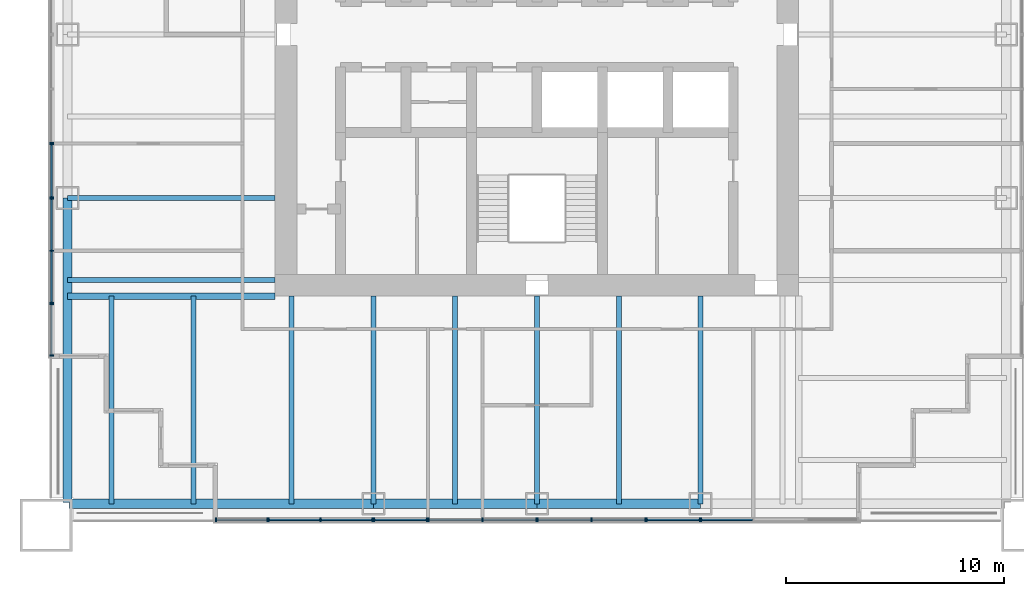
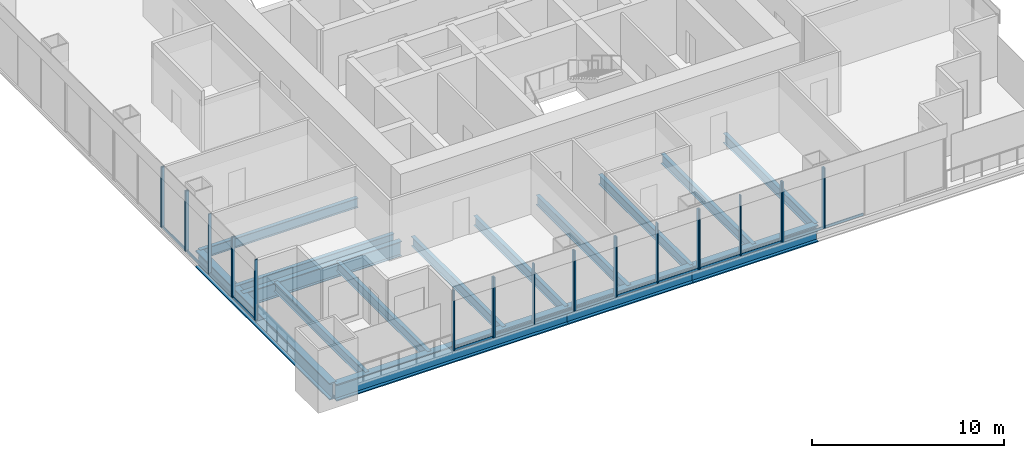
# One storey, part 2 of 13: 38 members, 15 beams, 11 elements without a shape of their own.
"""IFC4 building model written with IfcOpenShell, lengths in metres."""

from ifc_helpers import new_model, si_unit, direction, frame, origin, origin_2d, place, context, subcontext, project, spatial, rectangle, i_section, extrude, material, material_profile, profile_set, type_object, element, aggregate, save


model = new_model("IFC4")

# Units and contexts
model_context = context("Model", 3, precision=1e-05, world=origin(), true_north=direction((0.0, 1.0)))
body_context = subcontext(model_context, "Body", "Model", "MODEL_VIEW")
ifc_project = project(units=[si_unit("LENGTHUNIT", "METRE"), si_unit("AREAUNIT", "SQUARE_METRE"), si_unit("VOLUMEUNIT", "CUBIC_METRE"), si_unit("PLANEANGLEUNIT", "RADIAN"), si_unit("MASSUNIT", "GRAM", prefix="KILO")], contexts=[model_context])

# Site, building, storey
site_placement = place(None, origin())
site = spatial("IfcSite", under=ifc_project, at=site_placement, CompositionType="ELEMENT")
building_placement = place(site_placement, origin())
building = spatial("IfcBuilding", under=site, at=building_placement, Name="Tarangal Relay Tower", CompositionType="ELEMENT")
storey_placement = place(building_placement, frame((0.0, 0.0, 201.89990234375)))
storey = spatial("IfcBuildingStorey", under=building, at=storey_placement, Name="L42", CompositionType="ELEMENT", Elevation=201.89990234375)

# Beams
ifc_material_1 = material(Name="Steel ASTM A992", Category="steel")
ifc_material_profile_1 = material_profile(ifc_material_1, i_section(OverallWidth=0.227783203125, OverallDepth=0.60205078125, WebThickness=0.010498046875, FlangeThickness=0.014892578125, at=origin_2d()), Name="W24X68")
ifc_profile_set_1 = profile_set([ifc_material_profile_1], Name="Steel ASTM A992")
beam_type_1 = type_object("IfcBeamType", Name="Corner beam W24X68", PredefinedType="JOIST", material=ifc_profile_set_1)
for number, where, z_axis, x_axis, name in (
    (1, (-15.75, -12.0, -0.450927734375), (0.0, -1.0, 0.0), (1.0, 0.0, 0.0), "Corner beam CB11 S L42"),
    (2, (-19.5, -12.0, -0.450927734375), (0.0, -1.0, 0.0), (1.0, 0.0, 0.0), "Corner beam CB11 S L42"),
):
    element("IfcBeam", number, at=place(storey_placement, frame(where, z_axis=z_axis, x_axis=x_axis)), inside=storey, type_object=beam_type_1, Name=name, PredefinedType="JOIST", context=body_context, shape_type="SweptSolid", body=[
        extrude(i_section(OverallWidth=0.227783203125, OverallDepth=0.60205078125, WebThickness=0.010498046875, FlangeThickness=0.014892578125, at=origin_2d()), origin(), (0.0, 0.0, 1.0), 9.514892578125),
    ])
ifc_material_profile_2 = material_profile(ifc_material_1, i_section(OverallWidth=0.307373046875, OverallDepth=0.9423828125, WebThickness=0.022216796875, FlangeThickness=0.039794921875, at=origin_2d()), Name="W36X232")
ifc_profile_set_2 = profile_set([ifc_material_profile_2], Name="Steel ASTM A992")
beam_type_2 = type_object("IfcBeamType", Name="Corner girder W36X232", PredefinedType="BEAM", material=ifc_profile_set_2)
beam_placement = place(storey_placement, frame((-12.0, -12.0, -0.62109375), z_axis=(-1.0, 0.0, 0.0), x_axis=(0.0, -1.0, 0.0)))
element("IfcBeam", 3, at=beam_placement, inside=storey, type_object=beam_type_2, Name="Corner girder CG4 S L42", PredefinedType="BEAM", context=body_context, shape_type="SweptSolid", body=[
    extrude(i_section(OverallWidth=0.307373046875, OverallDepth=0.9423828125, WebThickness=0.022216796875, FlangeThickness=0.039794921875, at=origin_2d()), origin(), (0.0, 0.0, 1.0), 9.514892578125),
])
ifc_material_profile_3 = material_profile(ifc_material_1, i_section(OverallWidth=0.41650390625, OverallDepth=1.0693359375, WebThickness=0.0390625, FlangeThickness=0.070068359375, at=origin_2d()), Name="W40X503")
ifc_profile_set_3 = profile_set([ifc_material_profile_3], Name="Steel ASTM A992")
beam_type_3 = type_object("IfcBeamType", Name="Edge girder W40X503", PredefinedType="SPANDREL", material=ifc_profile_set_3)
for number, where, z_axis, x_axis, name in (
    (4, (7.5, -21.514892578125, -0.6845703125), (-1.0, 0.0, 0.0), (0.0, -1.0, 0.0), "Edge girder EG8 S L42"),
    (5, (0.0, -21.514892578125, -0.6845703125), (-1.0, 0.0, 0.0), (0.0, -1.0, 0.0), "Edge girder EG8 S L42"),
):
    element("IfcBeam", number, at=place(storey_placement, frame(where, z_axis=z_axis, x_axis=x_axis)), inside=storey, type_object=beam_type_3, Name=name, PredefinedType="SPANDREL", context=body_context, shape_type="SweptSolid", body=[
        extrude(i_section(OverallWidth=0.41650390625, OverallDepth=1.0693359375, WebThickness=0.0390625, FlangeThickness=0.070068359375, at=origin_2d()), origin(), (0.0, 0.0, 1.0), 7.5),
    ])
for number, where, z_axis, x_axis, name in (
    (6, (-7.5, -21.514892578125, -0.6845703125), (-1.0, 0.0, 0.0), (0.0, -1.0, 0.0), "Edge girder EG8 S L42"),
    (7, (-21.514892578125, -21.449951171875, -0.6845703125), (0.0, 1.0, 0.0), (-1.0, 0.0, 0.0), "Edge girder EG8 W L42"),
):
    element("IfcBeam", number, at=place(storey_placement, frame(where, z_axis=z_axis, x_axis=x_axis)), inside=storey, type_object=beam_type_3, Name=name, PredefinedType="SPANDREL", context=body_context, shape_type="SweptSolid", body=[
        extrude(i_section(OverallWidth=0.41650390625, OverallDepth=1.0693359375, WebThickness=0.0390625, FlangeThickness=0.070068359375, at=origin_2d()), origin(), (0.0, 0.0, 1.0), 13.949951171875),
    ])
ifc_material_profile_4 = material_profile(ifc_material_1, i_section(OverallWidth=0.22900390625, OverallDepth=0.612060546875, WebThickness=0.011962890625, FlangeThickness=0.01953125, at=origin_2d()), Name="W24X84")
ifc_profile_set_4 = profile_set([ifc_material_profile_4], Name="Steel ASTM A992")
beam_type_4 = type_object("IfcBeamType", Name="Floor beam W24X84", PredefinedType="BEAM", material=ifc_profile_set_4)
for number, where, z_axis, x_axis, name in (
    (8, (7.5, -12.0, -0.455810546875), (0.0, -1.0, 0.0), (1.0, 0.0, 0.0), "Floor beam RB12 S L42"),
    (9, (3.75, -12.0, -0.455810546875), (0.0, -1.0, 0.0), (1.0, 0.0, 0.0), "Floor beam RB12 S L42"),
    (10, (0.0, -12.0, -0.455810546875), (0.0, -1.0, 0.0), (1.0, 0.0, 0.0), "Floor beam RB12 S L42"),
    (11, (-3.75, -12.0, -0.455810546875), (0.0, -1.0, 0.0), (1.0, 0.0, 0.0), "Floor beam RB12 S L42"),
    (12, (-7.5, -12.0, -0.455810546875), (0.0, -1.0, 0.0), (1.0, 0.0, 0.0), "Floor beam RB12 S L42"),
    (13, (-11.25, -12.0, -0.455810546875), (0.0, -1.0, 0.0), (1.0, 0.0, 0.0), "Floor beam RB12 S L42"),
    (14, (-12.0, -11.25, -0.455810546875), (-1.0, 0.0, 0.0), (0.0, -1.0, 0.0), "Floor beam RB12 W L42"),
    (15, (-12.0, -7.5, -0.455810546875), (-1.0, 0.0, 0.0), (0.0, -1.0, 0.0), "Floor beam RB12 W L42"),
):
    element("IfcBeam", number, at=place(storey_placement, frame(where, z_axis=z_axis, x_axis=x_axis)), inside=storey, type_object=beam_type_4, Name=name, PredefinedType="BEAM", context=body_context, shape_type="SweptSolid", body=[
        extrude(i_section(OverallWidth=0.22900390625, OverallDepth=0.612060546875, WebThickness=0.011962890625, FlangeThickness=0.01953125, at=origin_2d()), origin(), (0.0, 0.0, 1.0), 9.514892578125),
    ])

# Curtain wall, members
ifc_material_2 = material(Name="Unitised curtain wall, dark glass and black aluminium", Category="aluminium")
curtain_wall_type_1 = type_object("IfcCurtainWallType", Name="Curtain wall CW-A", PredefinedType="USERDEFINED", material=ifc_material_2)
curtain_wall_1_placement = place(storey_placement, origin())
curtain_wall_1 = element("IfcCurtainWall", 16, at=curtain_wall_1_placement, inside=storey, type_object=curtain_wall_type_1, Name="Curtain wall CW-A S facade L42", ObjectType="UNITISED CURTAIN WALL", PredefinedType="USERDEFINED")
ifc_material_3 = material(Name="Black anodised aluminium mullion", Category="aluminium")
ifc_material_profile_5 = material_profile(ifc_material_3, rectangle(XDim=0.175048828125, YDim=0.06494140625, at=origin_2d()), Name="CW-AM 65X175")
ifc_profile_set_5 = profile_set([ifc_material_profile_5], Name="Black anodised aluminium mullion")
member_type_1 = type_object("IfcMemberType", Name="Mullion CW-A 65 x 175", PredefinedType="MULLION", material=ifc_profile_set_5)
member_1_placement = place(storey_placement, frame((4.967529296875, -22.25, 0.0), z_axis=(0.0, 0.0, 1.0), x_axis=(0.0, -1.0, 0.0)))
member_1 = element("IfcMember", 17, at=member_1_placement, type_object=member_type_1, Name="CW-A mullion 1", PredefinedType="MULLION", context=body_context, shape_type="SweptSolid", body=[
    extrude(rectangle(XDim=0.175048828125, YDim=0.06494140625, at=origin_2d()), origin(), (0.0, 0.0, 1.0), 3.85009765625),
])
member_2_placement = place(storey_placement, frame((2.5, -22.25, 0.0), z_axis=(0.0, 0.0, 1.0), x_axis=(0.0, -1.0, 0.0)))
member_2 = element("IfcMember", 18, at=member_2_placement, type_object=member_type_1, Name="CW-A mullion 2", PredefinedType="MULLION", context=body_context, shape_type="SweptSolid", body=[
    extrude(rectangle(XDim=0.175048828125, YDim=0.06494140625, at=origin_2d()), origin(), (0.0, 0.0, 1.0), 3.85009765625),
])
member_3_placement = place(storey_placement, frame((0.032470703125, -22.25, 0.0), z_axis=(0.0, 0.0, 1.0), x_axis=(0.0, -1.0, 0.0)))
member_3 = element("IfcMember", 19, at=member_3_placement, type_object=member_type_1, Name="CW-A mullion 3", PredefinedType="MULLION", context=body_context, shape_type="SweptSolid", body=[
    extrude(rectangle(XDim=0.175048828125, YDim=0.06494140625, at=origin_2d()), origin(), (0.0, 0.0, 1.0), 3.85009765625),
])

curtain_wall_2_placement = place(storey_placement, origin())
curtain_wall_2 = element("IfcCurtainWall", 20, at=curtain_wall_2_placement, inside=storey, type_object=curtain_wall_type_1, Name="Curtain wall CW-A S facade L42", ObjectType="UNITISED CURTAIN WALL", PredefinedType="USERDEFINED")
member_4_placement = place(storey_placement, frame((-0.032470703125, -22.25, 0.0), z_axis=(0.0, 0.0, 1.0), x_axis=(0.0, -1.0, 0.0)))
member_4 = element("IfcMember", 21, at=member_4_placement, type_object=member_type_1, Name="CW-A mullion 1", PredefinedType="MULLION", context=body_context, shape_type="SweptSolid", body=[
    extrude(rectangle(XDim=0.175048828125, YDim=0.06494140625, at=origin_2d()), origin(), (0.0, 0.0, 1.0), 3.85009765625),
])
member_5_placement = place(storey_placement, frame((-2.5, -22.25, 0.0), z_axis=(0.0, 0.0, 1.0), x_axis=(0.0, -1.0, 0.0)))
member_5 = element("IfcMember", 22, at=member_5_placement, type_object=member_type_1, Name="CW-A mullion 2", PredefinedType="MULLION", context=body_context, shape_type="SweptSolid", body=[
    extrude(rectangle(XDim=0.175048828125, YDim=0.06494140625, at=origin_2d()), origin(), (0.0, 0.0, 1.0), 3.85009765625),
])
member_6_placement = place(storey_placement, frame((-4.967529296875, -22.25, 0.0), z_axis=(0.0, 0.0, 1.0), x_axis=(0.0, -1.0, 0.0)))
member_6 = element("IfcMember", 23, at=member_6_placement, type_object=member_type_1, Name="CW-A mullion 3", PredefinedType="MULLION", context=body_context, shape_type="SweptSolid", body=[
    extrude(rectangle(XDim=0.175048828125, YDim=0.06494140625, at=origin_2d()), origin(), (0.0, 0.0, 1.0), 3.85009765625),
])

curtain_wall_3_placement = place(storey_placement, origin())
curtain_wall_3 = element("IfcCurtainWall", 24, at=curtain_wall_3_placement, inside=storey, type_object=curtain_wall_type_1, Name="Curtain wall CW-A S facade L42", ObjectType="UNITISED CURTAIN WALL", PredefinedType="USERDEFINED")
member_7_placement = place(storey_placement, frame((-12.36572265625, -22.25, 0.0), z_axis=(0.0, 0.0, 1.0), x_axis=(0.0, -1.0, 0.0)))
member_7 = element("IfcMember", 25, at=member_7_placement, type_object=member_type_1, Name="CW-A mullion 1", PredefinedType="MULLION", context=body_context, shape_type="SweptSolid", body=[
    extrude(rectangle(XDim=0.175048828125, YDim=0.06494140625, at=origin_2d()), origin(), (0.0, 0.0, 1.0), 3.85009765625),
])
member_8_placement = place(storey_placement, frame((-14.717529296875, -22.25, 0.0), z_axis=(0.0, 0.0, 1.0), x_axis=(0.0, -1.0, 0.0)))
member_8 = element("IfcMember", 26, at=member_8_placement, type_object=member_type_1, Name="CW-A mullion 2", PredefinedType="MULLION", context=body_context, shape_type="SweptSolid", body=[
    extrude(rectangle(XDim=0.175048828125, YDim=0.06494140625, at=origin_2d()), origin(), (0.0, 0.0, 1.0), 3.85009765625),
])

curtain_wall_4_placement = place(storey_placement, origin())
curtain_wall_4 = element("IfcCurtainWall", 27, at=curtain_wall_4_placement, inside=storey, type_object=curtain_wall_type_1, Name="Curtain wall CW-A W facade L42", ObjectType="UNITISED CURTAIN WALL", PredefinedType="USERDEFINED")
member_9_placement = place(storey_placement, frame((-22.25, -14.717529296875, 0.0), z_axis=(0.0, 0.0, 1.0), x_axis=(-1.0, 0.0, 0.0)))
member_9 = element("IfcMember", 28, at=member_9_placement, type_object=member_type_1, Name="CW-A mullion 1", PredefinedType="MULLION", context=body_context, shape_type="SweptSolid", body=[
    extrude(rectangle(XDim=0.175048828125, YDim=0.06494140625, at=origin_2d()), origin(), (0.0, 0.0, 1.0), 3.85009765625),
])
member_10_placement = place(storey_placement, frame((-22.25, -12.36572265625, 0.0), z_axis=(0.0, 0.0, 1.0), x_axis=(-1.0, 0.0, 0.0)))
member_10 = element("IfcMember", 29, at=member_10_placement, type_object=member_type_1, Name="CW-A mullion 2", PredefinedType="MULLION", context=body_context, shape_type="SweptSolid", body=[
    extrude(rectangle(XDim=0.175048828125, YDim=0.06494140625, at=origin_2d()), origin(), (0.0, 0.0, 1.0), 3.85009765625),
])

# Curtain wall, member
curtain_wall_5_placement = place(storey_placement, origin())
curtain_wall_5 = element("IfcCurtainWall", 30, at=curtain_wall_5_placement, inside=storey, type_object=curtain_wall_type_1, Name="Curtain wall CW-A W facade L42", ObjectType="UNITISED CURTAIN WALL", PredefinedType="USERDEFINED")
member_11_placement = place(storey_placement, frame((-22.25, -4.967529296875, 0.0), z_axis=(0.0, 0.0, 1.0), x_axis=(-1.0, 0.0, 0.0)))
member_11 = element("IfcMember", 31, at=member_11_placement, type_object=member_type_1, Name="CW-A mullion 1", PredefinedType="MULLION", context=body_context, shape_type="SweptSolid", body=[
    extrude(rectangle(XDim=0.175048828125, YDim=0.06494140625, at=origin_2d()), origin(), (0.0, 0.0, 1.0), 3.85009765625),
])
aggregate(curtain_wall_5, [member_11])

ifc_material_4 = material(Name="Unitised curtain wall frame, black aluminium, with metal clad infill walls", Category="aluminium")
curtain_wall_type_2 = type_object("IfcCurtainWallType", Name="Curtain wall CW-AO", PredefinedType="USERDEFINED", material=ifc_material_4)
curtain_wall_6_placement = place(storey_placement, origin())
curtain_wall_6 = element("IfcCurtainWall", 32, at=curtain_wall_6_placement, inside=storey, type_object=curtain_wall_type_2, Name="Curtain wall CW-AO S facade L42", ObjectType="UNITISED CURTAIN WALL", PredefinedType="USERDEFINED")
ifc_material_profile_6 = material_profile(ifc_material_3, rectangle(XDim=0.175048828125, YDim=0.06494140625, at=origin_2d()), Name="CW-AOM 65X175")
ifc_profile_set_6 = profile_set([ifc_material_profile_6], Name="Black anodised aluminium mullion")
member_type_2 = type_object("IfcMemberType", Name="Mullion CW-AO 65 x 175", PredefinedType="MULLION", material=ifc_profile_set_6)
member_12_placement = place(storey_placement, frame((7.532470703125, -22.25, 0.0), z_axis=(0.0, 0.0, 1.0), x_axis=(0.0, -1.0, 0.0)))
member_12 = element("IfcMember", 33, at=member_12_placement, type_object=member_type_2, Name="CW-AO mullion 3", PredefinedType="MULLION", context=body_context, shape_type="SweptSolid", body=[
    extrude(rectangle(XDim=0.175048828125, YDim=0.06494140625, at=origin_2d()), origin(), (0.0, 0.0, 1.0), 3.85009765625),
])

# Curtain wall, members
curtain_wall_7_placement = place(storey_placement, origin())
curtain_wall_7 = element("IfcCurtainWall", 34, at=curtain_wall_7_placement, inside=storey, type_object=curtain_wall_type_2, Name="Curtain wall CW-AO S facade L42", ObjectType="UNITISED CURTAIN WALL", PredefinedType="USERDEFINED")
member_13_placement = place(storey_placement, frame((7.467529296875, -22.25, 0.0), z_axis=(0.0, 0.0, 1.0), x_axis=(0.0, -1.0, 0.0)))
member_13 = element("IfcMember", 35, at=member_13_placement, type_object=member_type_2, Name="CW-AO mullion 1", PredefinedType="MULLION", context=body_context, shape_type="SweptSolid", body=[
    extrude(rectangle(XDim=0.175048828125, YDim=0.06494140625, at=origin_2d()), origin(), (0.0, 0.0, 1.0), 3.85009765625),
])
member_14_placement = place(storey_placement, frame((5.032470703125, -22.25, 0.0), z_axis=(0.0, 0.0, 1.0), x_axis=(0.0, -1.0, 0.0)))
member_14 = element("IfcMember", 36, at=member_14_placement, type_object=member_type_2, Name="CW-AO mullion 2", PredefinedType="MULLION", context=body_context, shape_type="SweptSolid", body=[
    extrude(rectangle(XDim=0.175048828125, YDim=0.06494140625, at=origin_2d()), origin(), (0.0, 0.0, 1.0), 3.85009765625),
])

curtain_wall_8_placement = place(storey_placement, origin())
curtain_wall_8 = element("IfcCurtainWall", 37, at=curtain_wall_8_placement, inside=storey, type_object=curtain_wall_type_2, Name="Curtain wall CW-AO S facade L42", ObjectType="UNITISED CURTAIN WALL", PredefinedType="USERDEFINED")
member_15_placement = place(storey_placement, frame((-5.032470703125, -22.25, 0.0), z_axis=(0.0, 0.0, 1.0), x_axis=(0.0, -1.0, 0.0)))
member_15 = element("IfcMember", 38, at=member_15_placement, type_object=member_type_2, Name="CW-AO mullion 1", PredefinedType="MULLION", context=body_context, shape_type="SweptSolid", body=[
    extrude(rectangle(XDim=0.175048828125, YDim=0.06494140625, at=origin_2d()), origin(), (0.0, 0.0, 1.0), 3.85009765625),
])
member_16_placement = place(storey_placement, frame((-7.467529296875, -22.25, 0.0), z_axis=(0.0, 0.0, 1.0), x_axis=(0.0, -1.0, 0.0)))
member_16 = element("IfcMember", 39, at=member_16_placement, type_object=member_type_2, Name="CW-AO mullion 2", PredefinedType="MULLION", context=body_context, shape_type="SweptSolid", body=[
    extrude(rectangle(XDim=0.175048828125, YDim=0.06494140625, at=origin_2d()), origin(), (0.0, 0.0, 1.0), 3.85009765625),
])

curtain_wall_9_placement = place(storey_placement, origin())
curtain_wall_9 = element("IfcCurtainWall", 40, at=curtain_wall_9_placement, inside=storey, type_object=curtain_wall_type_2, Name="Curtain wall CW-AO S facade L42", ObjectType="UNITISED CURTAIN WALL", PredefinedType="USERDEFINED")
member_17_placement = place(storey_placement, frame((-7.532470703125, -22.25, 0.0), z_axis=(0.0, 0.0, 1.0), x_axis=(0.0, -1.0, 0.0)))
member_17 = element("IfcMember", 41, at=member_17_placement, type_object=member_type_2, Name="CW-AO mullion 1", PredefinedType="MULLION", context=body_context, shape_type="SweptSolid", body=[
    extrude(rectangle(XDim=0.175048828125, YDim=0.06494140625, at=origin_2d()), origin(), (0.0, 0.0, 1.0), 3.85009765625),
])
member_18_placement = place(storey_placement, frame((-9.916748046875, -22.25, 0.0), z_axis=(0.0, 0.0, 1.0), x_axis=(0.0, -1.0, 0.0)))
member_18 = element("IfcMember", 42, at=member_18_placement, type_object=member_type_2, Name="CW-AO mullion 2", PredefinedType="MULLION", context=body_context, shape_type="SweptSolid", body=[
    extrude(rectangle(XDim=0.175048828125, YDim=0.06494140625, at=origin_2d()), origin(), (0.0, 0.0, 1.0), 3.85009765625),
])
member_19_placement = place(storey_placement, frame((-12.30078125, -22.25, 0.0), z_axis=(0.0, 0.0, 1.0), x_axis=(0.0, -1.0, 0.0)))
member_19 = element("IfcMember", 43, at=member_19_placement, type_object=member_type_2, Name="CW-AO mullion 3", PredefinedType="MULLION", context=body_context, shape_type="SweptSolid", body=[
    extrude(rectangle(XDim=0.175048828125, YDim=0.06494140625, at=origin_2d()), origin(), (0.0, 0.0, 1.0), 3.85009765625),
])

curtain_wall_10_placement = place(storey_placement, origin())
curtain_wall_10 = element("IfcCurtainWall", 44, at=curtain_wall_10_placement, inside=storey, type_object=curtain_wall_type_2, Name="Curtain wall CW-AO W facade L42", ObjectType="UNITISED CURTAIN WALL", PredefinedType="USERDEFINED")
member_20_placement = place(storey_placement, frame((-22.25, -12.30078125, 0.0), z_axis=(0.0, 0.0, 1.0), x_axis=(-1.0, 0.0, 0.0)))
member_20 = element("IfcMember", 45, at=member_20_placement, type_object=member_type_2, Name="CW-AO mullion 1", PredefinedType="MULLION", context=body_context, shape_type="SweptSolid", body=[
    extrude(rectangle(XDim=0.175048828125, YDim=0.06494140625, at=origin_2d()), origin(), (0.0, 0.0, 1.0), 3.85009765625),
])
member_21_placement = place(storey_placement, frame((-22.25, -9.916748046875, 0.0), z_axis=(0.0, 0.0, 1.0), x_axis=(-1.0, 0.0, 0.0)))
member_21 = element("IfcMember", 46, at=member_21_placement, type_object=member_type_2, Name="CW-AO mullion 2", PredefinedType="MULLION", context=body_context, shape_type="SweptSolid", body=[
    extrude(rectangle(XDim=0.175048828125, YDim=0.06494140625, at=origin_2d()), origin(), (0.0, 0.0, 1.0), 3.85009765625),
])
member_22_placement = place(storey_placement, frame((-22.25, -7.532470703125, 0.0), z_axis=(0.0, 0.0, 1.0), x_axis=(-1.0, 0.0, 0.0)))
member_22 = element("IfcMember", 47, at=member_22_placement, type_object=member_type_2, Name="CW-AO mullion 3", PredefinedType="MULLION", context=body_context, shape_type="SweptSolid", body=[
    extrude(rectangle(XDim=0.175048828125, YDim=0.06494140625, at=origin_2d()), origin(), (0.0, 0.0, 1.0), 3.85009765625),
])

curtain_wall_11_placement = place(storey_placement, origin())
curtain_wall_11 = element("IfcCurtainWall", 48, at=curtain_wall_11_placement, inside=storey, type_object=curtain_wall_type_2, Name="Curtain wall CW-AO W facade L42", ObjectType="UNITISED CURTAIN WALL", PredefinedType="USERDEFINED")
member_23_placement = place(storey_placement, frame((-22.25, -7.467529296875, 0.0), z_axis=(0.0, 0.0, 1.0), x_axis=(-1.0, 0.0, 0.0)))
member_23 = element("IfcMember", 49, at=member_23_placement, type_object=member_type_2, Name="CW-AO mullion 1", PredefinedType="MULLION", context=body_context, shape_type="SweptSolid", body=[
    extrude(rectangle(XDim=0.175048828125, YDim=0.06494140625, at=origin_2d()), origin(), (0.0, 0.0, 1.0), 3.85009765625),
])
member_24_placement = place(storey_placement, frame((-22.25, -5.032470703125, 0.0), z_axis=(0.0, 0.0, 1.0), x_axis=(-1.0, 0.0, 0.0)))
member_24 = element("IfcMember", 50, at=member_24_placement, type_object=member_type_2, Name="CW-AO mullion 2", PredefinedType="MULLION", context=body_context, shape_type="SweptSolid", body=[
    extrude(rectangle(XDim=0.175048828125, YDim=0.06494140625, at=origin_2d()), origin(), (0.0, 0.0, 1.0), 3.85009765625),
])

# Member
ifc_material_5 = material(Name="Black anodised aluminium transom", Category="aluminium")
ifc_material_profile_7 = material_profile(ifc_material_5, rectangle(XDim=0.06494140625, YDim=0.14990234375, at=origin_2d()), Name="CW-AT 65X150")
ifc_profile_set_7 = profile_set([ifc_material_profile_7], Name="Black anodised aluminium transom")
member_type_3 = type_object("IfcMemberType", Name="Transom CW-A 65 x 150", PredefinedType="USERDEFINED", material=ifc_profile_set_7)
member_25_placement = place(storey_placement, frame((4.93505859375, -22.25, 0.03271484375), z_axis=(-1.0, 0.0, 0.0), x_axis=(0.0, -1.0, 0.0)))
member_25 = element("IfcMember", 51, at=member_25_placement, type_object=member_type_3, Name="CW-A transom 1.1", ObjectType="TRANSOM", PredefinedType="USERDEFINED", context=body_context, shape_type="SweptSolid", body=[
    extrude(rectangle(XDim=0.06494140625, YDim=0.14990234375, at=origin_2d()), origin(), (0.0, 0.0, 1.0), 2.402587890625),
])

member_26_placement = place(storey_placement, frame((2.467529296875, -22.25, 0.03271484375), z_axis=(-1.0, 0.0, 0.0), x_axis=(0.0, -1.0, 0.0)))
member_26 = element("IfcMember", 52, at=member_26_placement, type_object=member_type_3, Name="CW-A transom 2.1", ObjectType="TRANSOM", PredefinedType="USERDEFINED", context=body_context, shape_type="SweptSolid", body=[
    extrude(rectangle(XDim=0.06494140625, YDim=0.14990234375, at=origin_2d()), origin(), (0.0, 0.0, 1.0), 2.402587890625),
])

aggregate(curtain_wall_1, [member_1, member_2, member_3, member_25, member_26])

member_27_placement = place(storey_placement, frame((-0.06494140625, -22.25, 0.03271484375), z_axis=(-1.0, 0.0, 0.0), x_axis=(0.0, -1.0, 0.0)))
member_27 = element("IfcMember", 53, at=member_27_placement, type_object=member_type_3, Name="CW-A transom 1.1", ObjectType="TRANSOM", PredefinedType="USERDEFINED", context=body_context, shape_type="SweptSolid", body=[
    extrude(rectangle(XDim=0.06494140625, YDim=0.14990234375, at=origin_2d()), origin(), (0.0, 0.0, 1.0), 2.402587890625),
])

member_28_placement = place(storey_placement, frame((-2.532470703125, -22.25, 0.03271484375), z_axis=(-1.0, 0.0, 0.0), x_axis=(0.0, -1.0, 0.0)))
member_28 = element("IfcMember", 54, at=member_28_placement, type_object=member_type_3, Name="CW-A transom 2.1", ObjectType="TRANSOM", PredefinedType="USERDEFINED", context=body_context, shape_type="SweptSolid", body=[
    extrude(rectangle(XDim=0.06494140625, YDim=0.14990234375, at=origin_2d()), origin(), (0.0, 0.0, 1.0), 2.402587890625),
])

aggregate(curtain_wall_2, [member_4, member_5, member_6, member_27, member_28])

member_29_placement = place(storey_placement, frame((-12.398193359375, -22.25, 0.03271484375), z_axis=(-1.0, 0.0, 0.0), x_axis=(0.0, -1.0, 0.0)))
member_29 = element("IfcMember", 55, at=member_29_placement, type_object=member_type_3, Name="CW-A transom 1.1", ObjectType="TRANSOM", PredefinedType="USERDEFINED", context=body_context, shape_type="SweptSolid", body=[
    extrude(rectangle(XDim=0.06494140625, YDim=0.14990234375, at=origin_2d()), origin(), (0.0, 0.0, 1.0), 2.286865234375),
])

aggregate(curtain_wall_3, [member_7, member_8, member_29])

member_30_placement = place(storey_placement, frame((-22.25, -14.68505859375, 0.03271484375), z_axis=(0.0, 1.0, 0.0), x_axis=(-1.0, 0.0, 0.0)))
member_30 = element("IfcMember", 56, at=member_30_placement, type_object=member_type_3, Name="CW-A transom 1.1", ObjectType="TRANSOM", PredefinedType="USERDEFINED", context=body_context, shape_type="SweptSolid", body=[
    extrude(rectangle(XDim=0.06494140625, YDim=0.14990234375, at=origin_2d()), origin(), (0.0, 0.0, 1.0), 2.286865234375),
])

aggregate(curtain_wall_4, [member_9, member_10, member_30])

ifc_material_profile_8 = material_profile(ifc_material_5, rectangle(XDim=0.06494140625, YDim=0.14990234375, at=origin_2d()), Name="CW-AOT 65X150")
ifc_profile_set_8 = profile_set([ifc_material_profile_8], Name="Black anodised aluminium transom")
member_type_4 = type_object("IfcMemberType", Name="Transom CW-AO 65 x 150", PredefinedType="USERDEFINED", material=ifc_profile_set_8)
member_31_placement = place(storey_placement, frame((9.884033203125, -22.25, 0.03271484375), z_axis=(-1.0, 0.0, 0.0), x_axis=(0.0, -1.0, 0.0)))
member_31 = element("IfcMember", 57, at=member_31_placement, type_object=member_type_4, Name="CW-AO transom 2.1", ObjectType="TRANSOM", PredefinedType="USERDEFINED", context=body_context, shape_type="SweptSolid", body=[
    extrude(rectangle(XDim=0.06494140625, YDim=0.14990234375, at=origin_2d()), origin(), (0.0, 0.0, 1.0), 2.319091796875),
])

aggregate(curtain_wall_6, [member_12, member_31])

member_32_placement = place(storey_placement, frame((7.43505859375, -22.25, 0.03271484375), z_axis=(-1.0, 0.0, 0.0), x_axis=(0.0, -1.0, 0.0)))
member_32 = element("IfcMember", 58, at=member_32_placement, type_object=member_type_4, Name="CW-AO transom 1.1", ObjectType="TRANSOM", PredefinedType="USERDEFINED", context=body_context, shape_type="SweptSolid", body=[
    extrude(rectangle(XDim=0.06494140625, YDim=0.14990234375, at=origin_2d()), origin(), (0.0, 0.0, 1.0), 2.3701171875),
])

aggregate(curtain_wall_7, [member_13, member_14, member_32])

member_33_placement = place(storey_placement, frame((-5.06494140625, -22.25, 0.03271484375), z_axis=(-1.0, 0.0, 0.0), x_axis=(0.0, -1.0, 0.0)))
member_33 = element("IfcMember", 59, at=member_33_placement, type_object=member_type_4, Name="CW-AO transom 1.1", ObjectType="TRANSOM", PredefinedType="USERDEFINED", context=body_context, shape_type="SweptSolid", body=[
    extrude(rectangle(XDim=0.06494140625, YDim=0.14990234375, at=origin_2d()), origin(), (0.0, 0.0, 1.0), 2.3701171875),
])

aggregate(curtain_wall_8, [member_15, member_16, member_33])

member_34_placement = place(storey_placement, frame((-7.56494140625, -22.25, 0.03271484375), z_axis=(-1.0, 0.0, 0.0), x_axis=(0.0, -1.0, 0.0)))
member_34 = element("IfcMember", 60, at=member_34_placement, type_object=member_type_4, Name="CW-AO transom 1.1", ObjectType="TRANSOM", PredefinedType="USERDEFINED", context=body_context, shape_type="SweptSolid", body=[
    extrude(rectangle(XDim=0.06494140625, YDim=0.14990234375, at=origin_2d()), origin(), (0.0, 0.0, 1.0), 2.319091796875),
])

member_35_placement = place(storey_placement, frame((-9.94921875, -22.25, 0.03271484375), z_axis=(-1.0, 0.0, 0.0), x_axis=(0.0, -1.0, 0.0)))
member_35 = element("IfcMember", 61, at=member_35_placement, type_object=member_type_4, Name="CW-AO transom 2.1", ObjectType="TRANSOM", PredefinedType="USERDEFINED", context=body_context, shape_type="SweptSolid", body=[
    extrude(rectangle(XDim=0.06494140625, YDim=0.14990234375, at=origin_2d()), origin(), (0.0, 0.0, 1.0), 2.319091796875),
])

aggregate(curtain_wall_9, [member_17, member_18, member_19, member_34, member_35])

member_36_placement = place(storey_placement, frame((-22.25, -12.268310546875, 0.03271484375), z_axis=(0.0, 1.0, 0.0), x_axis=(-1.0, 0.0, 0.0)))
member_36 = element("IfcMember", 62, at=member_36_placement, type_object=member_type_4, Name="CW-AO transom 1.1", ObjectType="TRANSOM", PredefinedType="USERDEFINED", context=body_context, shape_type="SweptSolid", body=[
    extrude(rectangle(XDim=0.06494140625, YDim=0.14990234375, at=origin_2d()), origin(), (0.0, 0.0, 1.0), 2.319091796875),
])

member_37_placement = place(storey_placement, frame((-22.25, -9.884033203125, 0.03271484375), z_axis=(0.0, 1.0, 0.0), x_axis=(-1.0, 0.0, 0.0)))
member_37 = element("IfcMember", 63, at=member_37_placement, type_object=member_type_4, Name="CW-AO transom 2.1", ObjectType="TRANSOM", PredefinedType="USERDEFINED", context=body_context, shape_type="SweptSolid", body=[
    extrude(rectangle(XDim=0.06494140625, YDim=0.14990234375, at=origin_2d()), origin(), (0.0, 0.0, 1.0), 2.319091796875),
])

aggregate(curtain_wall_10, [member_20, member_21, member_22, member_36, member_37])

member_38_placement = place(storey_placement, frame((-22.25, -7.43505859375, 0.03271484375), z_axis=(0.0, 1.0, 0.0), x_axis=(-1.0, 0.0, 0.0)))
member_38 = element("IfcMember", 64, at=member_38_placement, type_object=member_type_4, Name="CW-AO transom 1.1", ObjectType="TRANSOM", PredefinedType="USERDEFINED", context=body_context, shape_type="SweptSolid", body=[
    extrude(rectangle(XDim=0.06494140625, YDim=0.14990234375, at=origin_2d()), origin(), (0.0, 0.0, 1.0), 2.3701171875),
])

aggregate(curtain_wall_11, [member_23, member_24, member_38])

save(model, "model.ifc")
